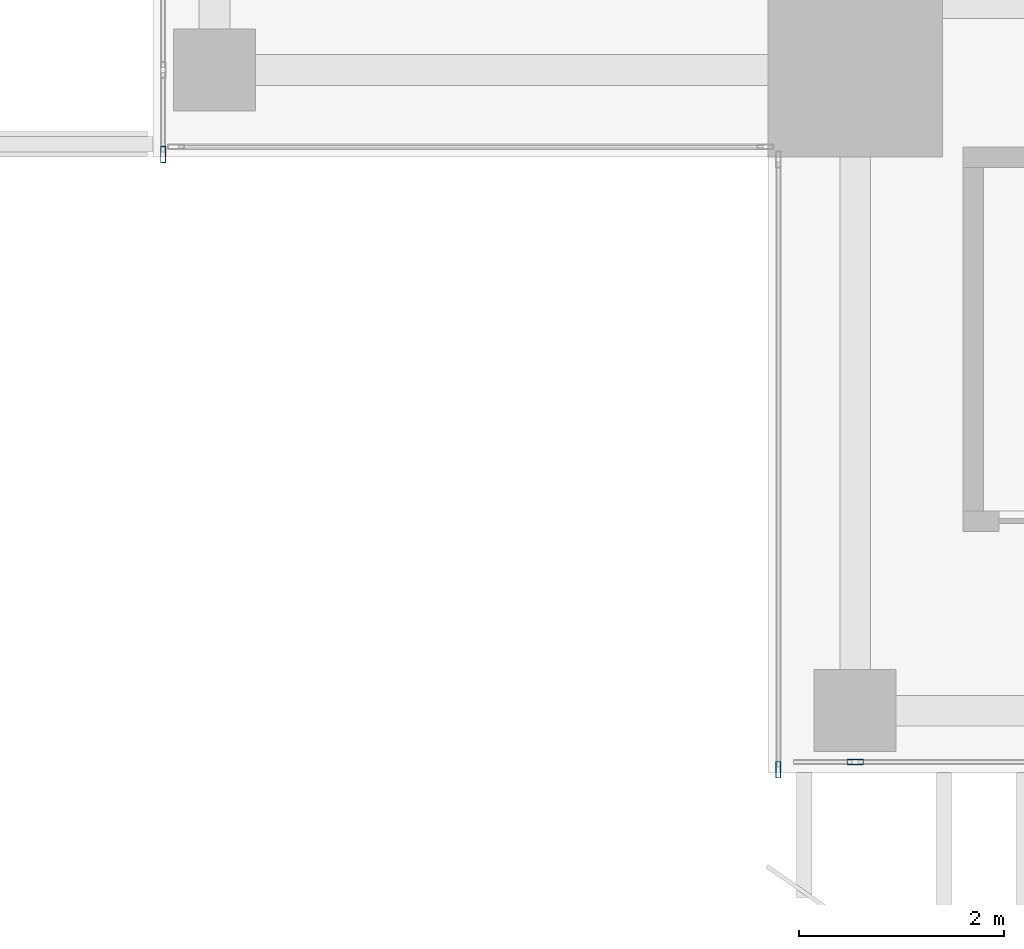
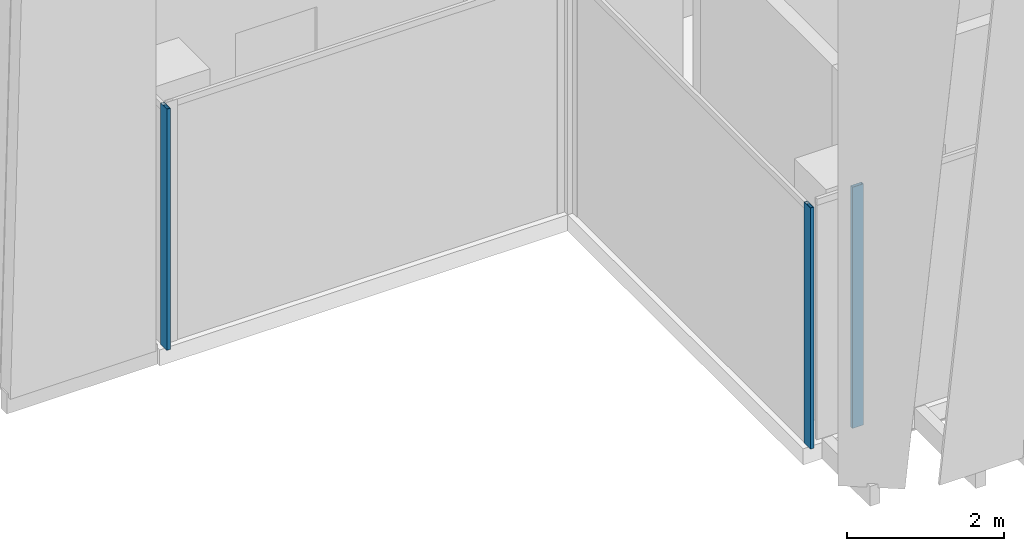
# One storey, part 2 of 33: 3 members, 3 elements without a shape of their own.
"""IFC4 building model written with IfcOpenShell, lengths in metres."""

from ifc_helpers import new_model, si_unit, direction, frame, origin, origin_2d, place, context, subcontext, project, spatial, hollow_rectangle, extrude, source, transform, mapped, material, material_profile, profile_set, type_object, element, aggregate, save


model = new_model("IFC4")

# Units and contexts
model_context = context("Model", 3, precision=1e-05, world=origin(), true_north=direction((0.0, 1.0)))
body_context = subcontext(model_context, "Body", "Model", "MODEL_VIEW")
ifc_project = project(units=[si_unit("LENGTHUNIT", "METRE"), si_unit("AREAUNIT", "SQUARE_METRE"), si_unit("VOLUMEUNIT", "CUBIC_METRE"), si_unit("PLANEANGLEUNIT", "RADIAN"), si_unit("MASSUNIT", "GRAM", prefix="KILO")], contexts=[model_context])

# Site, building, storey
site_placement = place(None, origin())
site = spatial("IfcSite", under=ifc_project, at=site_placement, CompositionType="ELEMENT")
building_placement = place(site_placement, origin())
building = spatial("IfcBuilding", under=site, at=building_placement, Name="Khomas Fold Tower", CompositionType="ELEMENT")
storey_placement = place(building_placement, frame((0.0, 0.0, 294.199951171875)))
storey = spatial("IfcBuildingStorey", under=building, at=storey_placement, Name="L66", CompositionType="ELEMENT", Elevation=294.199951171875)

# Curtain wall, member
ifc_material_1 = material(Name="Aluminium framed double glazing", Category="aluminium")
curtain_wall_type = type_object("IfcCurtainWallType", Name="SK-Unitised clear-glass wall, upper floors CW3", PredefinedType="NOTDEFINED", material=ifc_material_1)
curtain_wall_1_placement = place(storey_placement, origin())
curtain_wall_1 = element("IfcCurtainWall", 1, at=curtain_wall_1_placement, inside=storey, type_object=curtain_wall_type, Name="CW3 run L66 00-0", PredefinedType="NOTDEFINED")
ifc_material_2 = material(Name="Aluminium", Category="aluminium")
ifc_material_profile = material_profile(ifc_material_2, hollow_rectangle(XDim=0.050048828125, YDim=0.159912109375, WallThickness=0.00390625, at=origin_2d()), Name="SK-Unitised clear-glass wall, upper floors mullion CW3-M")
ifc_profile_set = profile_set([ifc_material_profile], Name="Aluminium")
member_type = type_object("IfcMemberType", Name="SK-Unitised clear-glass wall, upper floors mullion CW3-M", PredefinedType="MULLION", material=ifc_profile_set)
shared_shape = source(origin(), body_context, "Body", "SweptSolid", [
    extrude(hollow_rectangle(XDim=0.050048828125, YDim=0.159912109375, WallThickness=0.00390625, at=origin_2d()), origin(), (0.0, 0.0, 1.0), 3.75),
])
member_1_placement = place(storey_placement, frame((12.85009765625, 6.10009765625, 0.0), z_axis=(0.0, 0.0, 1.0), x_axis=(0.0, 1.0, 0.0)))
member_1 = element("IfcMember", 2, at=member_1_placement, type_object=member_type, Name="CW3 mullion 2", PredefinedType="MULLION", context=body_context, shape_type="MappedRepresentation", body=[
    mapped(shared_shape, transform((0.0, 0.0, 0.0))),
])
aggregate(curtain_wall_1, [member_1])

curtain_wall_2_placement = place(storey_placement, origin())
curtain_wall_2 = element("IfcCurtainWall", 3, at=curtain_wall_2_placement, inside=storey, type_object=curtain_wall_type, Name="CW3 run L66 09-1", PredefinedType="NOTDEFINED")
member_2_placement = place(storey_placement, frame((6.10009765625, 12.02490234375, 0.0), z_axis=(0.0, 0.0, 1.0), x_axis=(1.0, 0.0, 0.0)))
member_2 = element("IfcMember", 4, at=member_2_placement, type_object=member_type, Name="CW3 mullion 3", PredefinedType="MULLION", context=body_context, shape_type="MappedRepresentation", body=[
    mapped(shared_shape, transform((0.0, 0.0, 0.0))),
])
aggregate(curtain_wall_2, [member_2])

curtain_wall_3_placement = place(storey_placement, origin())
curtain_wall_3 = element("IfcCurtainWall", 5, at=curtain_wall_3_placement, inside=storey, type_object=curtain_wall_type, Name="CW3 corner return L66 11", PredefinedType="NOTDEFINED")
member_3_placement = place(storey_placement, frame((12.10009765625, 6.02490234375, 0.0), z_axis=(0.0, 0.0, 1.0), x_axis=(1.0, 0.0, 0.0)))
member_3 = element("IfcMember", 6, at=member_3_placement, type_object=member_type, Name="CW3 mullion 2", PredefinedType="MULLION", context=body_context, shape_type="MappedRepresentation", body=[
    mapped(shared_shape, transform((0.0, 0.0, 0.0))),
])
aggregate(curtain_wall_3, [member_3])

save(model, "model.ifc")
